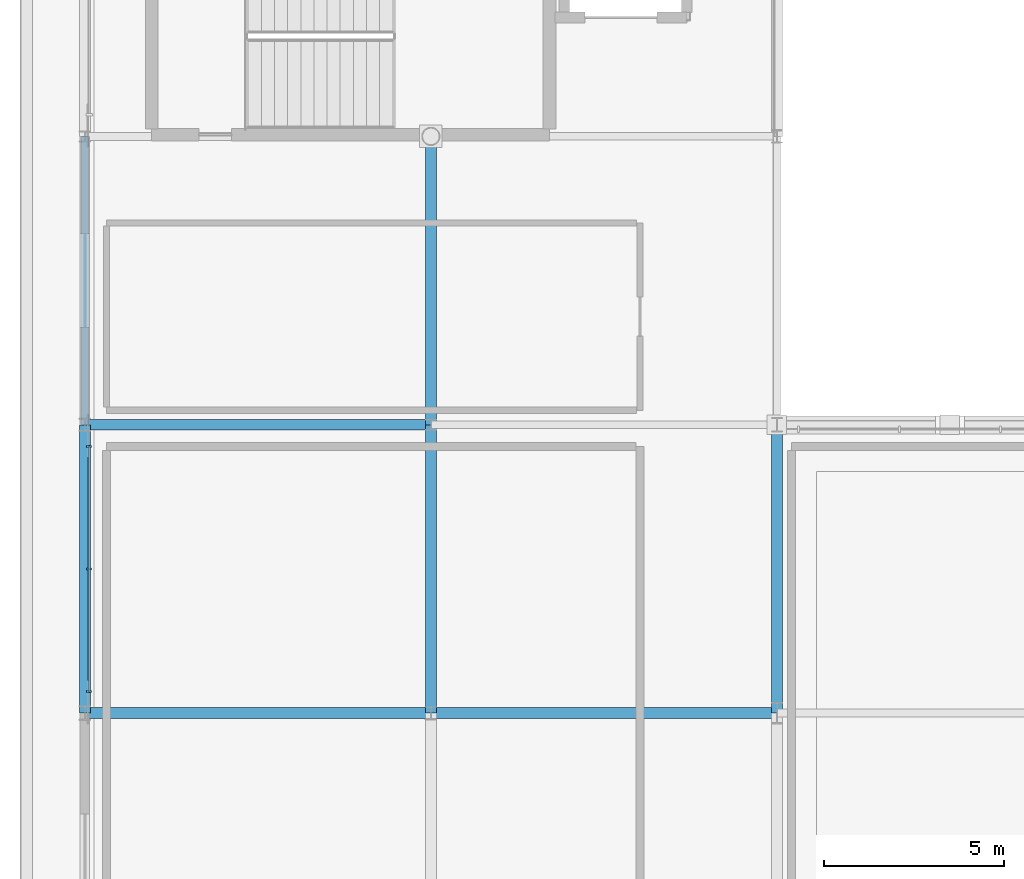
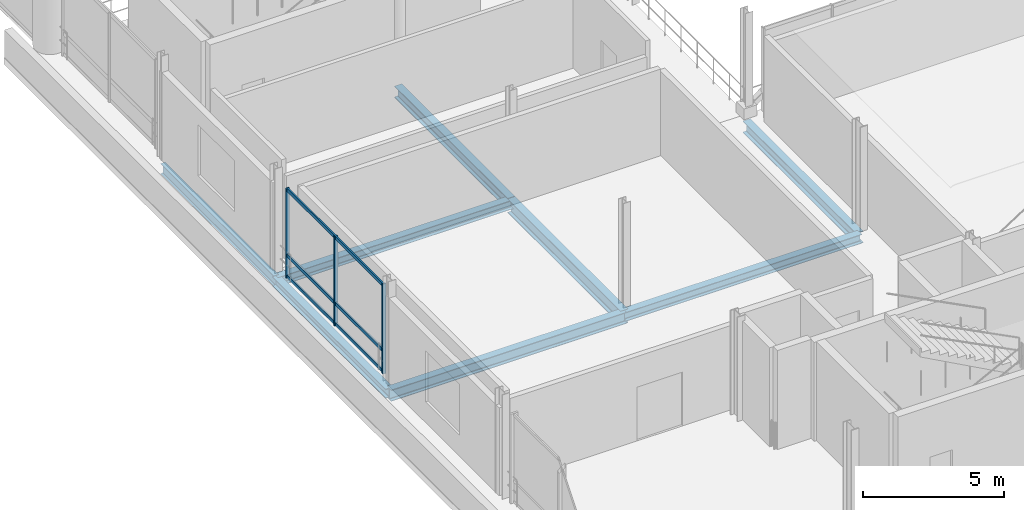
# One storey, part 29 of 193: 8 beams, 6 members, 1 element without a shape of its own.
"""IFC4 building model written with IfcOpenShell, lengths in metres."""

from ifc_helpers import new_model, si_unit, direction, frame, origin, origin_2d, place, context, subcontext, project, spatial, rectangle, i_section, extrude, material, material_profile, profile_set, type_object, element, aggregate, save


model = new_model("IFC4")

# Units and contexts
model_context = context("Model", 3, precision=1e-05, world=origin(), true_north=direction((0.0, 1.0)))
body_context = subcontext(model_context, "Body", "Model", "MODEL_VIEW")
ifc_project = project(units=[si_unit("LENGTHUNIT", "METRE"), si_unit("AREAUNIT", "SQUARE_METRE"), si_unit("VOLUMEUNIT", "CUBIC_METRE"), si_unit("PLANEANGLEUNIT", "RADIAN"), si_unit("MASSUNIT", "GRAM", prefix="KILO")], contexts=[model_context])

# Site, building, storey
site_placement = place(None, origin())
site = spatial("IfcSite", under=ifc_project, at=site_placement, CompositionType="ELEMENT")
building_placement = place(site_placement, origin())
building = spatial("IfcBuilding", under=site, at=building_placement, Name="Danafjord Basin Convention Centre", CompositionType="ELEMENT")
storey_placement = place(building_placement, frame((0.0, 0.0, 11.39990234375)))
storey = spatial("IfcBuildingStorey", under=building, at=storey_placement, Name="L02", CompositionType="ELEMENT", Elevation=11.39990234375)

# Beams
ifc_material_1 = material(Name="Steel S355", Category="steel")
ifc_material_profile_1 = material_profile(ifc_material_1, i_section(OverallWidth=0.300048828125, OverallDepth=0.389892578125, WebThickness=0.010986328125, FlangeThickness=0.01904296875, FilletRadius=0.027099609375, at=origin_2d()), Name="HEA 400")
ifc_profile_set_1 = profile_set([ifc_material_profile_1], Name="Steel S355")
beam_type_1 = type_object("IfcBeamType", Name="BEAM-BM-HEA400", PredefinedType="BEAM", material=ifc_profile_set_1)
beam_1_placement = place(storey_placement, frame((0.0, 40.0, -0.44482421875), z_axis=(1.0, 0.0, 0.0), x_axis=(0.0, 1.0, 0.0)))
element("IfcBeam", 1, at=beam_1_placement, inside=storey, type_object=beam_type_1, Name="L02 girder BM-HEA400", PredefinedType="BEAM", context=body_context, shape_type="SweptSolid", body=[
    extrude(i_section(OverallWidth=0.300048828125, OverallDepth=0.389892578125, WebThickness=0.010986328125, FlangeThickness=0.01904296875, FilletRadius=0.027099609375, at=origin_2d()), origin(), (0.0, 0.0, 1.0), 9.60009765625),
])
beam_2_placement = place(storey_placement, frame((9.60009765625, 32.0, -0.44482421875), z_axis=(1.0, 0.0, 0.0), x_axis=(0.0, 1.0, 0.0)))
element("IfcBeam", 2, at=beam_2_placement, inside=storey, type_object=beam_type_1, Name="L02 girder BM-HEA400", PredefinedType="BEAM", context=body_context, shape_type="SweptSolid", body=[
    extrude(i_section(OverallWidth=0.300048828125, OverallDepth=0.389892578125, WebThickness=0.010986328125, FlangeThickness=0.01904296875, FilletRadius=0.027099609375, at=origin_2d()), origin(), (0.0, 0.0, 1.0), 9.599853515625),
])
ifc_material_profile_2 = material_profile(ifc_material_1, i_section(OverallWidth=0.300048828125, OverallDepth=0.489990234375, WebThickness=0.011962890625, FlangeThickness=0.02294921875, FilletRadius=0.027099609375, at=origin_2d()), Name="HEA 500")
ifc_profile_set_2 = profile_set([ifc_material_profile_2], Name="Steel S355")
beam_type_2 = type_object("IfcBeamType", Name="BEAM-BM-HEA500", PredefinedType="BEAM", material=ifc_profile_set_2)
beam_3_placement = place(storey_placement, frame((0.0, 32.0, -0.494873046875), z_axis=(1.0, 0.0, 0.0), x_axis=(0.0, 1.0, 0.0)))
element("IfcBeam", 3, at=beam_3_placement, inside=storey, type_object=beam_type_2, Name="L02 girder BM-HEA500", PredefinedType="BEAM", context=body_context, shape_type="SweptSolid", body=[
    extrude(i_section(OverallWidth=0.300048828125, OverallDepth=0.489990234375, WebThickness=0.011962890625, FlangeThickness=0.02294921875, FilletRadius=0.027099609375, at=origin_2d()), origin(), (0.0, 0.0, 1.0), 9.60009765625),
])
ifc_material_profile_3 = material_profile(ifc_material_1, i_section(OverallWidth=0.300048828125, OverallDepth=0.5, WebThickness=0.014404296875, FlangeThickness=0.028076171875, FilletRadius=0.027099609375, at=origin_2d()), Name="HEB 500")
ifc_profile_set_3 = profile_set([ifc_material_profile_3], Name="Steel S355")
beam_type_3 = type_object("IfcBeamType", Name="BEAM-BM-HEB500", PredefinedType="BEAM", material=ifc_profile_set_3)
for number, where, z_axis, x_axis, name in (
    (4, (9.60009765625, 40.0, -0.47998046875), (0.0, 1.0, 0.0), (-1.0, 0.0, 0.0), "L02 transverse girder BM-HEB500"),
    (5, (19.199951171875, 32.0, -0.5), (0.0, 1.0, 0.0), (-1.0, 0.0, 0.0), "L02 transverse girder BM-HEB500"),
):
    element("IfcBeam", number, at=place(storey_placement, frame(where, z_axis=z_axis, x_axis=x_axis)), inside=storey, type_object=beam_type_3, Name=name, PredefinedType="BEAM", context=body_context, shape_type="SweptSolid", body=[
        extrude(i_section(OverallWidth=0.300048828125, OverallDepth=0.5, WebThickness=0.014404296875, FlangeThickness=0.028076171875, FilletRadius=0.027099609375, at=origin_2d()), origin(), (0.0, 0.0, 1.0), 8.0),
    ])
ifc_material_profile_4 = material_profile(ifc_material_1, i_section(OverallWidth=0.300048828125, OverallDepth=0.60009765625, WebThickness=0.015380859375, FlangeThickness=0.030029296875, FilletRadius=0.027099609375, at=origin_2d()), Name="HEB 600")
ifc_profile_set_4 = profile_set([ifc_material_profile_4], Name="Steel S355")
beam_type_4 = type_object("IfcBeamType", Name="BEAM-BM-HEB600", PredefinedType="BEAM", material=ifc_profile_set_4)
beam_4_placement = place(storey_placement, frame((9.60009765625, 32.0, -0.5498046875), z_axis=(0.0, 1.0, 0.0), x_axis=(-1.0, 0.0, 0.0)))
element("IfcBeam", 6, at=beam_4_placement, inside=storey, type_object=beam_type_4, Name="L02 transverse girder BM-HEB600", PredefinedType="BEAM", context=body_context, shape_type="SweptSolid", body=[
    extrude(i_section(OverallWidth=0.300048828125, OverallDepth=0.60009765625, WebThickness=0.015380859375, FlangeThickness=0.030029296875, FilletRadius=0.027099609375, at=origin_2d()), origin(), (0.0, 0.0, 1.0), 8.0),
])
ifc_material_profile_5 = material_profile(ifc_material_1, i_section(OverallWidth=0.300048828125, OverallDepth=0.39990234375, WebThickness=0.013427734375, FlangeThickness=0.02392578125, FilletRadius=0.027099609375, at=origin_2d()), Name="HEB 400")
ifc_profile_set_5 = profile_set([ifc_material_profile_5], Name="Steel S355")
beam_type_5 = type_object("IfcBeamType", Name="BEAM-SP-HEB400", PredefinedType="SPANDREL", material=ifc_profile_set_5)
beam_5_placement = place(storey_placement, frame((0.0, 32.0, -0.449951171875), z_axis=(0.0, 1.0, 0.0), x_axis=(-1.0, 0.0, 0.0)))
element("IfcBeam", 7, at=beam_5_placement, inside=storey, type_object=beam_type_5, Name="L02 transverse girder SP-HEB400", PredefinedType="SPANDREL", context=body_context, shape_type="SweptSolid", body=[
    extrude(i_section(OverallWidth=0.300048828125, OverallDepth=0.39990234375, WebThickness=0.013427734375, FlangeThickness=0.02392578125, FilletRadius=0.027099609375, at=origin_2d()), origin(), (0.0, 0.0, 1.0), 8.0),
])
ifc_material_profile_6 = material_profile(ifc_material_1, i_section(OverallWidth=0.18994140625, OverallDepth=0.449951171875, WebThickness=0.009521484375, FlangeThickness=0.0146484375, FilletRadius=0.02099609375, at=origin_2d()), Name="IPE 450")
ifc_profile_set_6 = profile_set([ifc_material_profile_6], Name="Steel S355")
beam_type_6 = type_object("IfcBeamType", Name="BEAM-SP-IPE450", PredefinedType="SPANDREL", material=ifc_profile_set_6)
beam_6_placement = place(storey_placement, frame((0.0, 40.0, -0.454833984375), z_axis=(0.0, 1.0, 0.0), x_axis=(-1.0, 0.0, 0.0)))
element("IfcBeam", 8, at=beam_6_placement, inside=storey, type_object=beam_type_6, Name="L02 transverse girder SP-IPE450", PredefinedType="SPANDREL", context=body_context, shape_type="SweptSolid", body=[
    extrude(i_section(OverallWidth=0.18994140625, OverallDepth=0.449951171875, WebThickness=0.009521484375, FlangeThickness=0.0146484375, FilletRadius=0.02099609375, at=origin_2d()), origin(), (0.0, 0.0, 1.0), 8.0),
])

# Curtain wall, members
ifc_material_2 = material(Name="Anodised aluminium and triple glazing", Category="aluminium")
curtain_wall_type = type_object("IfcCurtainWallType", Name="CW-CW-TERR", PredefinedType="NOTDEFINED", material=ifc_material_2)
curtain_wall_placement = place(storey_placement, origin())
curtain_wall = element("IfcCurtainWall", 9, at=curtain_wall_placement, inside=storey, type_object=curtain_wall_type, Name="L02 CW-TERR unitised curtain wall bay 70", PredefinedType="NOTDEFINED")
ifc_material_3 = material(Name="Anodised aluminium EN AW-6060", Category="aluminium")
ifc_material_profile_7 = material_profile(ifc_material_3, rectangle(XDim=0.06005859375, YDim=0.139892578125, at=origin_2d()), Name="MULL 60x140")
ifc_profile_set_7 = profile_set([ifc_material_profile_7], Name="Anodised aluminium EN AW-6060")
member_type_1 = type_object("IfcMemberType", Name="MEM-ML-140", PredefinedType="MULLION", material=ifc_profile_set_7)
member_1_placement = place(storey_placement, frame((0.1201171875, 39.39990234375, -0.02490234375), z_axis=(0.0, 0.0, 1.0), x_axis=(0.0, -1.0, 0.0)))
member_1 = element("IfcMember", 10, at=member_1_placement, type_object=member_type_1, Name="CW-L02-070 mullion 1", PredefinedType="MULLION", context=body_context, shape_type="SweptSolid", body=[
    extrude(rectangle(XDim=0.06005859375, YDim=0.139892578125, at=origin_2d()), origin(), (0.0, 0.0, 1.0), 3.885009765625),
])
member_2_placement = place(storey_placement, frame((0.1201171875, 36.0, -0.02490234375), z_axis=(0.0, 0.0, 1.0), x_axis=(0.0, -1.0, 0.0)))
member_2 = element("IfcMember", 11, at=member_2_placement, type_object=member_type_1, Name="CW-L02-070 mullion 2", PredefinedType="MULLION", context=body_context, shape_type="SweptSolid", body=[
    extrude(rectangle(XDim=0.06005859375, YDim=0.139892578125, at=origin_2d()), origin(), (0.0, 0.0, 1.0), 3.885009765625),
])
member_3_placement = place(storey_placement, frame((0.1201171875, 32.60009765625, -0.02490234375), z_axis=(0.0, 0.0, 1.0), x_axis=(0.0, -1.0, 0.0)))
member_3 = element("IfcMember", 12, at=member_3_placement, type_object=member_type_1, Name="CW-L02-070 mullion 3", PredefinedType="MULLION", context=body_context, shape_type="SweptSolid", body=[
    extrude(rectangle(XDim=0.06005859375, YDim=0.139892578125, at=origin_2d()), origin(), (0.0, 0.0, 1.0), 3.885009765625),
])
ifc_material_profile_8 = material_profile(ifc_material_3, rectangle(XDim=0.06005859375, YDim=0.14990234375, at=origin_2d()), Name="TRAN 60x150")
ifc_profile_set_8 = profile_set([ifc_material_profile_8], Name="Anodised aluminium EN AW-6060")
member_type_2 = type_object("IfcMemberType", Name="MEM-TR-150", PredefinedType="USERDEFINED", material=ifc_profile_set_8)
member_4_placement = place(storey_placement, frame((0.1201171875, 39.39990234375, 0.06005859375), z_axis=(0.0, -1.0, 0.0), x_axis=(1.0, 0.0, 0.0)))
member_4 = element("IfcMember", 13, at=member_4_placement, type_object=member_type_2, Name="CW-L02-070 transom 1", ObjectType="TRANSOM", PredefinedType="USERDEFINED", context=body_context, shape_type="SweptSolid", body=[
    extrude(rectangle(XDim=0.06005859375, YDim=0.14990234375, at=origin_2d()), origin(), (0.0, 0.0, 1.0), 6.7998046875),
])
member_5_placement = place(storey_placement, frame((0.1201171875, 39.39990234375, 0.9501953125), z_axis=(0.0, -1.0, 0.0), x_axis=(1.0, 0.0, 0.0)))
member_5 = element("IfcMember", 14, at=member_5_placement, type_object=member_type_2, Name="CW-L02-070 transom 2", ObjectType="TRANSOM", PredefinedType="USERDEFINED", context=body_context, shape_type="SweptSolid", body=[
    extrude(rectangle(XDim=0.06005859375, YDim=0.14990234375, at=origin_2d()), origin(), (0.0, 0.0, 1.0), 6.7998046875),
])
member_6_placement = place(storey_placement, frame((0.1201171875, 39.39990234375, 3.7900390625), z_axis=(0.0, -1.0, 0.0), x_axis=(1.0, 0.0, 0.0)))
member_6 = element("IfcMember", 15, at=member_6_placement, type_object=member_type_2, Name="CW-L02-070 transom 3", ObjectType="TRANSOM", PredefinedType="USERDEFINED", context=body_context, shape_type="SweptSolid", body=[
    extrude(rectangle(XDim=0.06005859375, YDim=0.14990234375, at=origin_2d()), origin(), (0.0, 0.0, 1.0), 6.7998046875),
])
aggregate(curtain_wall, [member_1, member_2, member_3, member_4, member_5, member_6])

save(model, "model.ifc")
